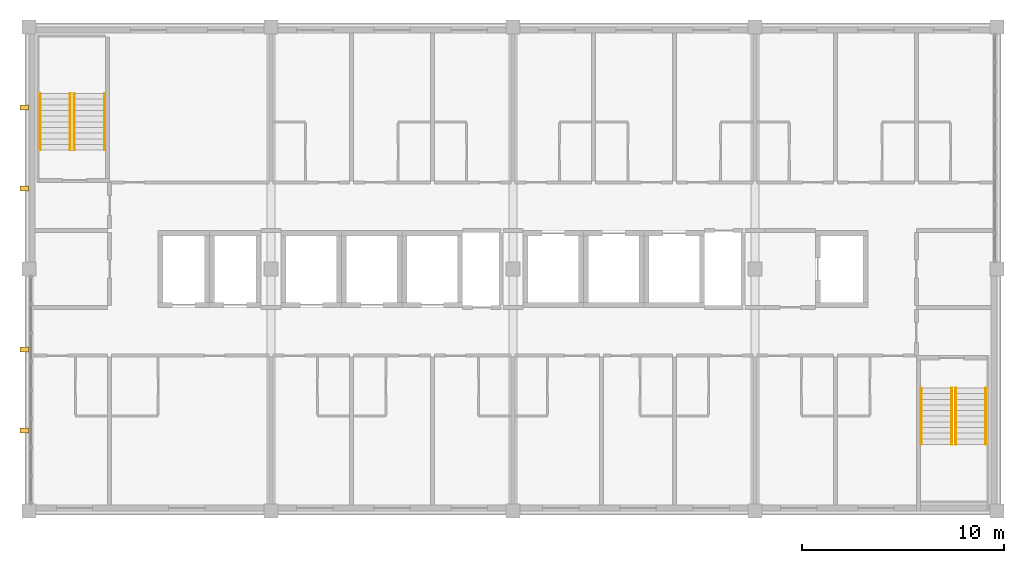
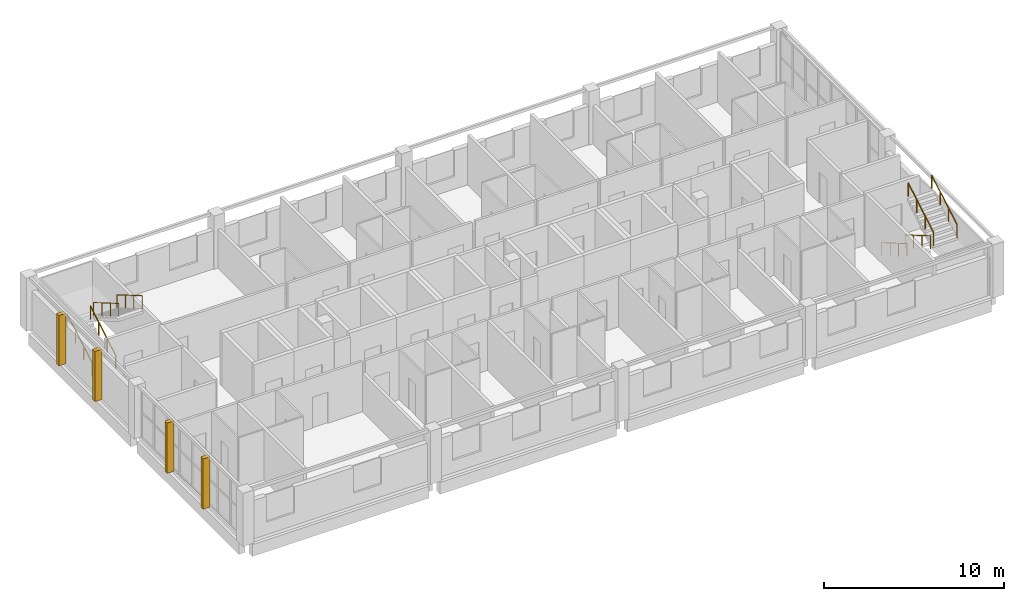
# One storey, part 11 of 11: 8 railings, 4 coverings.
"""IFC4 building model written with IfcOpenShell, lengths in metres."""

from ifc_helpers import new_model, si_unit, direction, frame, frame_2d, origin, origin_2d, place, context, subcontext, project, spatial, rectangle, circle, extrude, material, layer, layer_set, type_object, element, save


model = new_model("IFC4")

# Units and contexts
model_context = context("Model", 3, precision=1e-05, world=origin(), true_north=direction((0.0, 1.0)))
body_context = subcontext(model_context, "Body", "Model", "MODEL_VIEW")
ifc_project = project(units=[si_unit("LENGTHUNIT", "METRE"), si_unit("AREAUNIT", "SQUARE_METRE"), si_unit("VOLUMEUNIT", "CUBIC_METRE"), si_unit("PLANEANGLEUNIT", "RADIAN"), si_unit("MASSUNIT", "GRAM", prefix="KILO")], contexts=[model_context])

# Site, building, storey
site_placement = place(None, origin())
site = spatial("IfcSite", under=ifc_project, at=site_placement, CompositionType="ELEMENT")
building_placement = place(site_placement, origin())
building = spatial("IfcBuilding", under=site, at=building_placement, Name="Lilac Gate Convention Centre", CompositionType="ELEMENT")
storey_placement = place(building_placement, frame((0.0, 0.0, 53.39990234375)))
storey = spatial("IfcBuildingStorey", under=building, at=storey_placement, Name="L13", CompositionType="ELEMENT", Elevation=53.39990234375)

# Coverings
ifc_material_1 = material(Name="Concrete C40 precast", Category="concrete")
ifc_layer_1 = layer(ifc_material_1, 0.22998046875)
ifc_material_2 = material(Name="Terracotta glazed cladding", Category="masonry")
ifc_layer_2 = layer(ifc_material_2, 0.02001953125)
ifc_layer_set = layer_set([ifc_layer_1, ifc_layer_2], Name="Concrete C40 precast, Terracotta glazed cladding")
covering_type = type_object("IfcCoveringType", Name="Precast fin 250 x 450", PredefinedType="CLADDING", material=ifc_layer_set)
for number, where, z_axis, x_axis, name in (
    (1, (41.550048828125, 226.0, 0.0), (0.0, 0.0, 1.0), (1.0, 0.0, 0.0), "Precast fin west L13 226"),
    (2, (41.550048828125, 230.0, 0.0), (0.0, 0.0, 1.0), (1.0, 0.0, 0.0), "Precast fin west L13 230"),
    (3, (41.550048828125, 238.0, 0.0), (0.0, 0.0, 1.0), (1.0, 0.0, 0.0), "Precast fin west L13 238"),
    (4, (41.550048828125, 242.0, 0.0), (0.0, 0.0, 1.0), (1.0, 0.0, 0.0), "Precast fin west L13 242"),
):
    element("IfcCovering", number, at=place(storey_placement, frame(where, z_axis=z_axis, x_axis=x_axis)), inside=storey, type_object=covering_type, Name=name, PredefinedType="CLADDING", context=body_context, shape_type="SweptSolid", body=[
        extrude(rectangle(XDim=0.449951171875, YDim=0.25, at=frame_2d((0.22509765625, 0.0))), origin(), (0.0, 0.0, 1.0), 3.400146484375),
    ])

# Railings
ifc_material_3 = material(Name="Stainless steel 304", Category="steel")
railing_type = type_object("IfcRailingType", Name="Stair handrail", PredefinedType="HANDRAIL", material=ifc_material_3)
for number, where, name in (
    (5, (42.550048828125, 239.89990234375, 0.163818359375), "Handrail NW L13 flight 1"),
    (6, (44.050048828125, 239.89990234375, 0.163818359375), "Handrail NW L13 flight 1"),
):
    element("IfcRailing", number, at=place(storey_placement, frame(where)), inside=storey, type_object=railing_type, Name=name, PredefinedType="HANDRAIL", context=body_context, shape_type="SweptSolid", body=[
        extrude(circle(Radius=0.02392578125, at=origin_2d()), frame((0.0, 0.0, 0.8759765625), z_axis=(0.0, 0.863393664356, 0.504530851732), x_axis=(-1.0, 0.0, 0.0)), (0.0, 0.0, 1.0), 3.2431640625),
        extrude(circle(Radius=0.02099609375, at=origin_2d()), origin(), (0.0, 0.0, 1.0), 0.851806640625),
        extrude(circle(Radius=0.02099609375, at=origin_2d()), frame((0.0, 0.933349609375, 0.54541015625)), (0.0, 0.0, 1.0), 0.851806640625),
        extrude(circle(Radius=0.02099609375, at=origin_2d()), frame((0.0, 1.86669921875, 1.0908203125)), (0.0, 0.0, 1.0), 0.851806640625),
        extrude(circle(Radius=0.02099609375, at=origin_2d()), frame((0.0, 2.800048828125, 1.63623046875)), (0.0, 0.0, 1.0), 0.851806640625),
    ])
for number, where, name in (
    (7, (45.75, 242.699951171875, 1.963623046875), "Handrail NW L13 flight 2"),
    (8, (44.25, 242.699951171875, 1.963623046875), "Handrail NW L13 flight 2"),
):
    element("IfcRailing", number, at=place(storey_placement, frame(where)), inside=storey, type_object=railing_type, Name=name, PredefinedType="HANDRAIL", context=body_context, shape_type="SweptSolid", body=[
        extrude(circle(Radius=0.02392578125, at=origin_2d()), frame((0.0, 0.0, 0.8759765625), z_axis=(0.0, -0.863360870873, 0.504586966384), x_axis=(1.0, 0.0, 0.0)), (0.0, 0.0, 1.0), 3.2431640625),
        extrude(circle(Radius=0.02099609375, at=origin_2d()), origin(), (0.0, 0.0, 1.0), 0.851806640625),
        extrude(circle(Radius=0.02099609375, at=origin_2d()), frame((0.0, -0.933349609375, 0.54541015625)), (0.0, 0.0, 1.0), 0.851806640625),
        extrude(circle(Radius=0.02099609375, at=origin_2d()), frame((0.0, -1.86669921875, 1.091064453125)), (0.0, 0.0, 1.0), 0.851806640625),
        extrude(circle(Radius=0.02099609375, at=origin_2d()), frame((0.0, -2.800048828125, 1.636474609375)), (0.0, 0.0, 1.0), 0.851806640625),
    ])
for number, where, name in (
    (9, (87.75, 228.10009765625, 0.163818359375), "Handrail SE L13 flight 1"),
    (10, (86.25, 228.10009765625, 0.163818359375), "Handrail SE L13 flight 1"),
):
    element("IfcRailing", number, at=place(storey_placement, frame(where)), inside=storey, type_object=railing_type, Name=name, PredefinedType="HANDRAIL", context=body_context, shape_type="SweptSolid", body=[
        extrude(circle(Radius=0.02392578125, at=origin_2d()), frame((0.0, 0.0, 0.8759765625), z_axis=(0.0, -0.863393664356, 0.504530851732), x_axis=(1.0, 0.0, 0.0)), (0.0, 0.0, 1.0), 3.2431640625),
        extrude(circle(Radius=0.02099609375, at=origin_2d()), origin(), (0.0, 0.0, 1.0), 0.851806640625),
        extrude(circle(Radius=0.02099609375, at=origin_2d()), frame((0.0, -0.933349609375, 0.54541015625)), (0.0, 0.0, 1.0), 0.851806640625),
        extrude(circle(Radius=0.02099609375, at=origin_2d()), frame((0.0, -1.86669921875, 1.0908203125)), (0.0, 0.0, 1.0), 0.851806640625),
        extrude(circle(Radius=0.02099609375, at=origin_2d()), frame((0.0, -2.800048828125, 1.63623046875)), (0.0, 0.0, 1.0), 0.851806640625),
    ])
for number, where, name in (
    (11, (87.949951171875, 225.300048828125, 1.963623046875), "Handrail SE L13 flight 2"),
    (12, (89.449951171875, 225.300048828125, 1.963623046875), "Handrail SE L13 flight 2"),
):
    element("IfcRailing", number, at=place(storey_placement, frame(where)), inside=storey, type_object=railing_type, Name=name, PredefinedType="HANDRAIL", context=body_context, shape_type="SweptSolid", body=[
        extrude(circle(Radius=0.02392578125, at=origin_2d()), frame((0.0, 0.0, 0.8759765625), z_axis=(0.0, 0.863360870873, 0.504586966384), x_axis=(-1.0, 0.0, 0.0)), (0.0, 0.0, 1.0), 3.2431640625),
        extrude(circle(Radius=0.02099609375, at=origin_2d()), origin(), (0.0, 0.0, 1.0), 0.851806640625),
        extrude(circle(Radius=0.02099609375, at=origin_2d()), frame((0.0, 0.933349609375, 0.54541015625)), (0.0, 0.0, 1.0), 0.851806640625),
        extrude(circle(Radius=0.02099609375, at=origin_2d()), frame((0.0, 1.86669921875, 1.091064453125)), (0.0, 0.0, 1.0), 0.851806640625),
        extrude(circle(Radius=0.02099609375, at=origin_2d()), frame((0.0, 2.800048828125, 1.636474609375)), (0.0, 0.0, 1.0), 0.851806640625),
    ])

save(model, "model.ifc")
